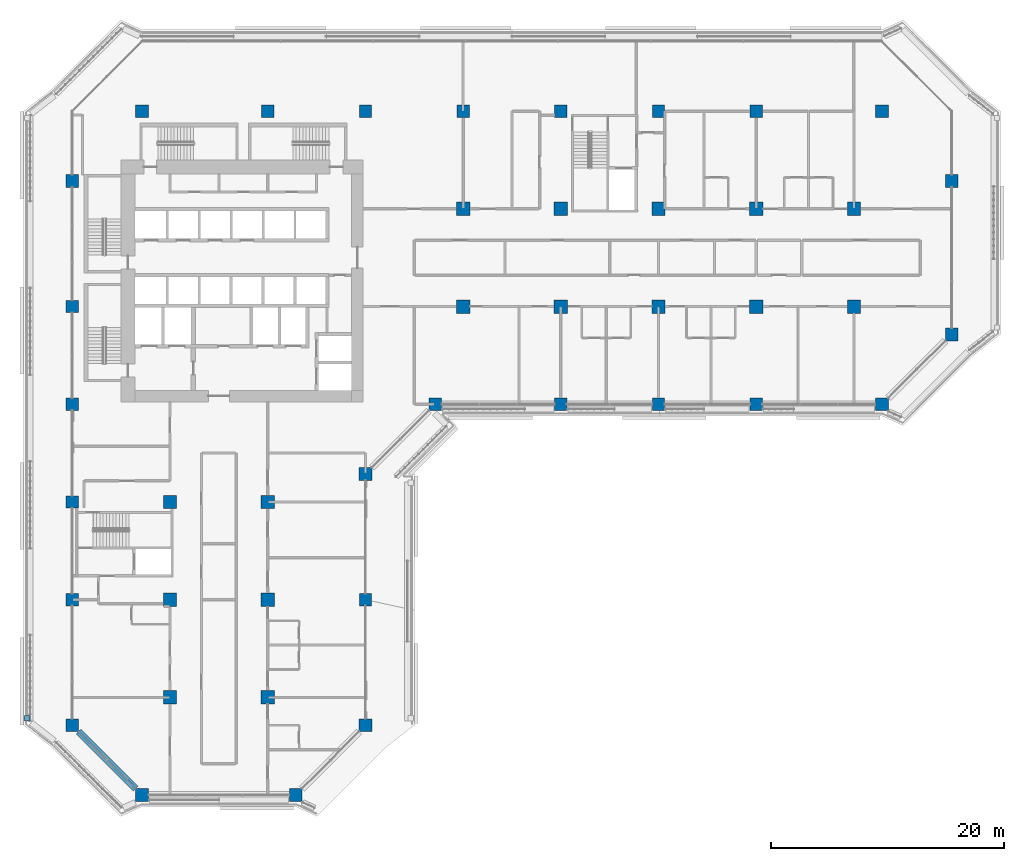
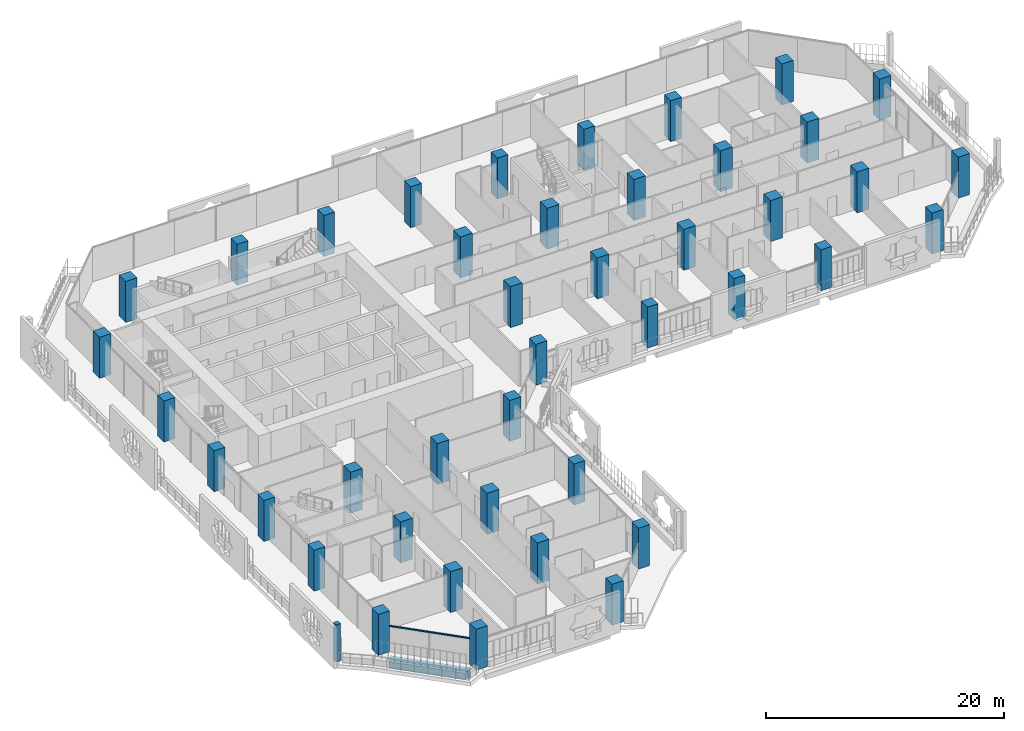
# One storey, part 1 of 25: 42 columns, 2 members, 1 beam, 2 elements without a shape of their own.
"""IFC4 building model written with IfcOpenShell, lengths in metres."""

from ifc_helpers import new_model, si_unit, direction, frame, origin, origin_2d, place, context, subcontext, project, spatial, rectangle, extrude, material, layer, layer_set, material_profile, profile_set, type_object, element, aggregate, save


model = new_model("IFC4")

# Units and contexts
model_context = context("Model", 3, precision=1e-05, world=origin(), true_north=direction((0.0, 1.0)))
body_context = subcontext(model_context, "Body", "Model", "MODEL_VIEW")
ifc_project = project(units=[si_unit("LENGTHUNIT", "METRE"), si_unit("AREAUNIT", "SQUARE_METRE"), si_unit("VOLUMEUNIT", "CUBIC_METRE"), si_unit("PLANEANGLEUNIT", "RADIAN"), si_unit("MASSUNIT", "GRAM", prefix="KILO")], contexts=[model_context])

# Site, building, storey
site_placement = place(None, origin())
site = spatial("IfcSite", under=ifc_project, at=site_placement, CompositionType="ELEMENT")
building_placement = place(site_placement, origin())
building = spatial("IfcBuilding", under=site, at=building_placement, Name="Kawkab Arch Medical Tower", CompositionType="ELEMENT")
storey_placement = place(building_placement, frame((0.0, 0.0, 124.0)))
storey = spatial("IfcBuildingStorey", under=building, at=storey_placement, Name="L28", CompositionType="ELEMENT", Elevation=124.0)

# Columns
ifc_material_1 = material(Name="Concrete C55/67", Category="concrete")
ifc_material_profile_1 = material_profile(ifc_material_1, rectangle(XDim=1.050048828125, YDim=1.050048828125, at=origin_2d()), Name="RC 1050x1050")
ifc_profile_set_1 = profile_set([ifc_material_profile_1], Name="Concrete C55/67")
column_type_1 = type_object("IfcColumnType", Name="RC 1050x1050 column C55/67", PredefinedType="COLUMN", material=ifc_profile_set_1)
for number, where, z_axis, x_axis, name in (
    (1, (16.800048828125, 0.0, 0.0), (0.0, 0.0, 1.0), (1.0, 0.0, 0.0), "Column RC 1050x1050"),
    (2, (25.199951171875, 0.0, 0.0), (0.0, 0.0, 1.0), (1.0, 0.0, 0.0), "Column RC 1050x1050"),
    (3, (33.60009765625, 0.0, 0.0), (0.0, 0.0, 1.0), (1.0, 0.0, 0.0), "Column RC 1050x1050"),
    (4, (42.0, 0.0, 0.0), (0.0, 0.0, 1.0), (1.0, 0.0, 0.0), "Column RC 1050x1050"),
    (5, (50.39990234375, 0.0, 0.0), (0.0, 0.0, 1.0), (1.0, 0.0, 0.0), "Column RC 1050x1050"),
    (6, (58.800048828125, 0.0, 0.0), (0.0, 0.0, 1.0), (1.0, 0.0, 0.0), "Column RC 1050x1050"),
    (7, (0.0, -16.800048828125, 0.0), (0.0, 0.0, 1.0), (1.0, 0.0, 0.0), "Column RC 1050x1050"),
    (8, (0.0, -25.199951171875, 0.0), (0.0, 0.0, 1.0), (1.0, 0.0, 0.0), "Column RC 1050x1050"),
    (9, (42.0, -25.199951171875, 0.0), (0.0, 0.0, 1.0), (1.0, 0.0, 0.0), "Column RC 1050x1050"),
    (10, (50.39990234375, -25.199951171875, 0.0), (0.0, 0.0, 1.0), (1.0, 0.0, 0.0), "Column RC 1050x1050"),
    (11, (58.800048828125, -25.199951171875, 0.0), (0.0, 0.0, 1.0), (1.0, 0.0, 0.0), "Column RC 1050x1050"),
    (12, (0.0, -33.60009765625, 0.0), (0.0, 0.0, 1.0), (1.0, 0.0, 0.0), "Column RC 1050x1050"),
    (13, (0.0, -42.0, 0.0), (0.0, 0.0, 1.0), (1.0, 0.0, 0.0), "Column RC 1050x1050"),
    (14, (25.199951171875, -42.0, 0.0), (0.0, 0.0, 1.0), (1.0, 0.0, 0.0), "Column RC 1050x1050"),
):
    element("IfcColumn", number, at=place(storey_placement, frame(where, z_axis=z_axis, x_axis=x_axis)), inside=storey, type_object=column_type_1, Name=name, PredefinedType="COLUMN", context=body_context, shape_type="SweptSolid", body=[
        extrude(rectangle(XDim=1.050048828125, YDim=1.050048828125, at=origin_2d()), origin(), (0.0, 0.0, 1.0), 4.199951171875),
    ])
ifc_material_2 = material(Name="Concrete C55/67", Category="concrete")
ifc_material_profile_2 = material_profile(ifc_material_2, rectangle(XDim=1.10009765625, YDim=1.10009765625, at=origin_2d()), Name="RC 1100x1100")
ifc_profile_set_2 = profile_set([ifc_material_profile_2], Name="Concrete C55/67")
column_type_2 = type_object("IfcColumnType", Name="RC 1100x1100 column C55/67", PredefinedType="COLUMN", material=ifc_profile_set_2)
for number, where, z_axis, x_axis, name in (
    (15, (6.0, 0.0, 0.0), (0.0, 0.0, 1.0), (1.0, 0.0, 0.0), "Column RC 1100x1100"),
    (16, (69.60009765625, 0.0, 0.0), (0.0, 0.0, 1.0), (1.0, 0.0, 0.0), "Column RC 1100x1100"),
    (17, (0.0, -6.0, 0.0), (0.0, 0.0, 1.0), (1.0, 0.0, 0.0), "Column RC 1100x1100"),
    (18, (75.60009765625, -6.0, 0.0), (0.0, 0.0, 1.0), (1.0, 0.0, 0.0), "Column RC 1100x1100"),
    (19, (75.60009765625, -19.199951171875, 0.0), (0.0, 0.0, 1.0), (1.0, 0.0, 0.0), "Column RC 1100x1100"),
    (20, (31.199951171875, -25.199951171875, 0.0), (0.0, 0.0, 1.0), (1.0, 0.0, 0.0), "Column RC 1100x1100"),
    (21, (69.60009765625, -25.199951171875, 0.0), (0.0, 0.0, 1.0), (1.0, 0.0, 0.0), "Column RC 1100x1100"),
    (22, (25.199951171875, -31.199951171875, 0.0), (0.0, 0.0, 1.0), (1.0, 0.0, 0.0), "Column RC 1100x1100"),
    (23, (0.0, -52.800048828125, 0.0), (0.0, 0.0, 1.0), (1.0, 0.0, 0.0), "Column RC 1100x1100"),
    (24, (25.199951171875, -52.800048828125, 0.0), (0.0, 0.0, 1.0), (1.0, 0.0, 0.0), "Column RC 1100x1100"),
    (25, (6.0, -58.800048828125, 0.0), (0.0, 0.0, 1.0), (1.0, 0.0, 0.0), "Column RC 1100x1100"),
    (26, (19.199951171875, -58.800048828125, 0.0), (0.0, 0.0, 1.0), (1.0, 0.0, 0.0), "Column RC 1100x1100"),
):
    element("IfcColumn", number, at=place(storey_placement, frame(where, z_axis=z_axis, x_axis=x_axis)), inside=storey, type_object=column_type_2, Name=name, PredefinedType="COLUMN", context=body_context, shape_type="SweptSolid", body=[
        extrude(rectangle(XDim=1.10009765625, YDim=1.10009765625, at=origin_2d()), origin(), (0.0, 0.0, 1.0), 4.199951171875),
    ])
ifc_material_3 = material(Name="Concrete C55/67", Category="concrete")
ifc_material_profile_3 = material_profile(ifc_material_3, rectangle(XDim=1.14990234375, YDim=1.14990234375, at=origin_2d()), Name="RC 1150x1150")
ifc_profile_set_3 = profile_set([ifc_material_profile_3], Name="Concrete C55/67")
column_type_3 = type_object("IfcColumnType", Name="RC 1150x1150 column C55/67", PredefinedType="COLUMN", material=ifc_profile_set_3)
for number, where, z_axis, x_axis, name in (
    (27, (33.60009765625, -8.39990234375, 0.0), (0.0, 0.0, 1.0), (1.0, 0.0, 0.0), "Column RC 1150x1150"),
    (28, (42.0, -8.39990234375, 0.0), (0.0, 0.0, 1.0), (1.0, 0.0, 0.0), "Column RC 1150x1150"),
    (29, (50.39990234375, -8.39990234375, 0.0), (0.0, 0.0, 1.0), (1.0, 0.0, 0.0), "Column RC 1150x1150"),
    (30, (58.800048828125, -8.39990234375, 0.0), (0.0, 0.0, 1.0), (1.0, 0.0, 0.0), "Column RC 1150x1150"),
    (31, (67.199951171875, -8.39990234375, 0.0), (0.0, 0.0, 1.0), (1.0, 0.0, 0.0), "Column RC 1150x1150"),
    (32, (33.60009765625, -16.800048828125, 0.0), (0.0, 0.0, 1.0), (1.0, 0.0, 0.0), "Column RC 1150x1150"),
    (33, (42.0, -16.800048828125, 0.0), (0.0, 0.0, 1.0), (1.0, 0.0, 0.0), "Column RC 1150x1150"),
    (34, (50.39990234375, -16.800048828125, 0.0), (0.0, 0.0, 1.0), (1.0, 0.0, 0.0), "Column RC 1150x1150"),
    (35, (58.800048828125, -16.800048828125, 0.0), (0.0, 0.0, 1.0), (1.0, 0.0, 0.0), "Column RC 1150x1150"),
    (36, (67.199951171875, -16.800048828125, 0.0), (0.0, 0.0, 1.0), (1.0, 0.0, 0.0), "Column RC 1150x1150"),
    (37, (8.39990234375, -33.60009765625, 0.0), (0.0, 0.0, 1.0), (1.0, 0.0, 0.0), "Column RC 1150x1150"),
    (38, (16.800048828125, -33.60009765625, 0.0), (0.0, 0.0, 1.0), (1.0, 0.0, 0.0), "Column RC 1150x1150"),
    (39, (8.39990234375, -42.0, 0.0), (0.0, 0.0, 1.0), (1.0, 0.0, 0.0), "Column RC 1150x1150"),
    (40, (16.800048828125, -42.0, 0.0), (0.0, 0.0, 1.0), (1.0, 0.0, 0.0), "Column RC 1150x1150"),
    (41, (8.39990234375, -50.39990234375, 0.0), (0.0, 0.0, 1.0), (1.0, 0.0, 0.0), "Column RC 1150x1150"),
    (42, (16.800048828125, -50.39990234375, 0.0), (0.0, 0.0, 1.0), (1.0, 0.0, 0.0), "Column RC 1150x1150"),
):
    element("IfcColumn", number, at=place(storey_placement, frame(where, z_axis=z_axis, x_axis=x_axis)), inside=storey, type_object=column_type_3, Name=name, PredefinedType="COLUMN", context=body_context, shape_type="SweptSolid", body=[
        extrude(rectangle(XDim=1.14990234375, YDim=1.14990234375, at=origin_2d()), origin(), (0.0, 0.0, 1.0), 4.199951171875),
    ])

# Curtain wall, member
ifc_material_4 = material(Name="Bronze anodised aluminium curtain wall frame", Category="aluminium")
ifc_layer_1 = layer(ifc_material_4, 0.159912109375)
ifc_layer_set_1 = layer_set([ifc_layer_1], Name="Bronze anodised aluminium curtain wall frame")
curtain_wall_type_1 = type_object("IfcCurtainWallType", Name="CW2 chamfer curtain wall", PredefinedType="NOTDEFINED", material=ifc_layer_set_1)
placement = place(storey_placement, origin())
curtain_wall_1 = element("IfcCurtainWall", 43, at=placement, inside=storey, type_object=curtain_wall_type_1, Name="CW2 Chamfer curtain wall R02", PredefinedType="NOTDEFINED")
ifc_material_5 = material(Name="Bronze anodised aluminium curtain wall frame", Category="aluminium")
ifc_material_profile_4 = material_profile(ifc_material_5, rectangle(XDim=0.06005859375, YDim=0.139892578125, at=origin_2d()), Name="AL 60x140")
ifc_profile_set_4 = profile_set([ifc_material_profile_4], Name="Bronze anodised aluminium curtain wall frame")
member_type_1 = type_object("IfcMemberType", Name="CW2 transom 140 x 60", PredefinedType="USERDEFINED", material=ifc_profile_set_4)
member_1_placement = place(storey_placement, frame((0.550048828125, -53.35009765625, 2.6298828125), z_axis=(0.707106781187, -0.707106781187, 0.0), x_axis=(0.707106781187, 0.707106781187, 0.0)))
member_1 = element("IfcMember", 44, at=member_1_placement, type_object=member_type_1, Name="CW2 transom 1", ObjectType="TRANSOM", PredefinedType="USERDEFINED", context=body_context, shape_type="SweptSolid", body=[
    extrude(rectangle(XDim=0.06005859375, YDim=0.139892578125, at=origin_2d()), origin(), (0.0, 0.0, 1.0), 6.929443359375),
])
aggregate(curtain_wall_1, [member_1])

ifc_material_6 = material(Name="Bronze anodised aluminium climber frame, planted", Category="aluminium")
ifc_layer_2 = layer(ifc_material_6, 0.449951171875)
ifc_layer_set_2 = layer_set([ifc_layer_2], Name="Bronze anodised aluminium climber frame, planted")
curtain_wall_type_2 = type_object("IfcCurtainWallType", Name="Planted climber frame", PredefinedType="NOTDEFINED", material=ifc_layer_set_2)
curtain_wall_2 = element("IfcCurtainWall", 45, at=placement, inside=storey, type_object=curtain_wall_type_2, Name="Planted climber frame L28", PredefinedType="NOTDEFINED")
ifc_material_7 = material(Name="Bronze anodised aluminium climber frame, planted", Category="aluminium")
ifc_material_profile_5 = material_profile(ifc_material_7, rectangle(XDim=0.449951171875, YDim=0.449951171875, at=origin_2d()), Name="Post 450x450")
ifc_profile_set_5 = profile_set([ifc_material_profile_5], Name="Bronze anodised aluminium climber frame, planted")
member_type_2 = type_object("IfcMemberType", Name="Planted climber post 450 x 450", PredefinedType="MULLION", material=ifc_profile_set_5)
member_2_placement = place(storey_placement, frame((-3.89990234375, -52.202880859375, 0.0), z_axis=(0.0, 0.0, 1.0), x_axis=(1.0, 0.0, 0.0)))
member_2 = element("IfcMember", 46, at=member_2_placement, type_object=member_type_2, Name="Planted climber post L28.LOG-01-01.1", PredefinedType="MULLION", context=body_context, shape_type="SweptSolid", body=[
    extrude(rectangle(XDim=0.449951171875, YDim=0.449951171875, at=origin_2d()), origin(), (0.0, 0.0, 1.0), 3.800048828125),
])
aggregate(curtain_wall_2, [member_2])

# Beam
ifc_material_8 = material(Name="Concrete C55/67", Category="concrete")
ifc_material_profile_6 = material_profile(ifc_material_8, rectangle(XDim=0.60009765625, YDim=0.89990234375, at=origin_2d()), Name="RC 600x900")
ifc_profile_set_6 = profile_set([ifc_material_profile_6], Name="Concrete C55/67")
beam_type = type_object("IfcBeamType", Name="RC 600x900 beam C55/67", PredefinedType="BEAM", material=ifc_profile_set_6)
beam_placement = place(storey_placement, frame((5.449951171875, -58.25, -1.050048828125), z_axis=(-0.707106781187, 0.707106781187, 0.0), x_axis=(-0.707106781187, -0.707106781187, 0.0)))
element("IfcBeam", 47, at=beam_placement, inside=storey, type_object=beam_type, Name="Overhang edge beam L28-09", PredefinedType="BEAM", context=body_context, shape_type="SweptSolid", body=[
    extrude(rectangle(XDim=0.60009765625, YDim=0.89990234375, at=origin_2d()), origin(), (0.0, 0.0, 1.0), 6.929443359375),
])

save(model, "model.ifc")
